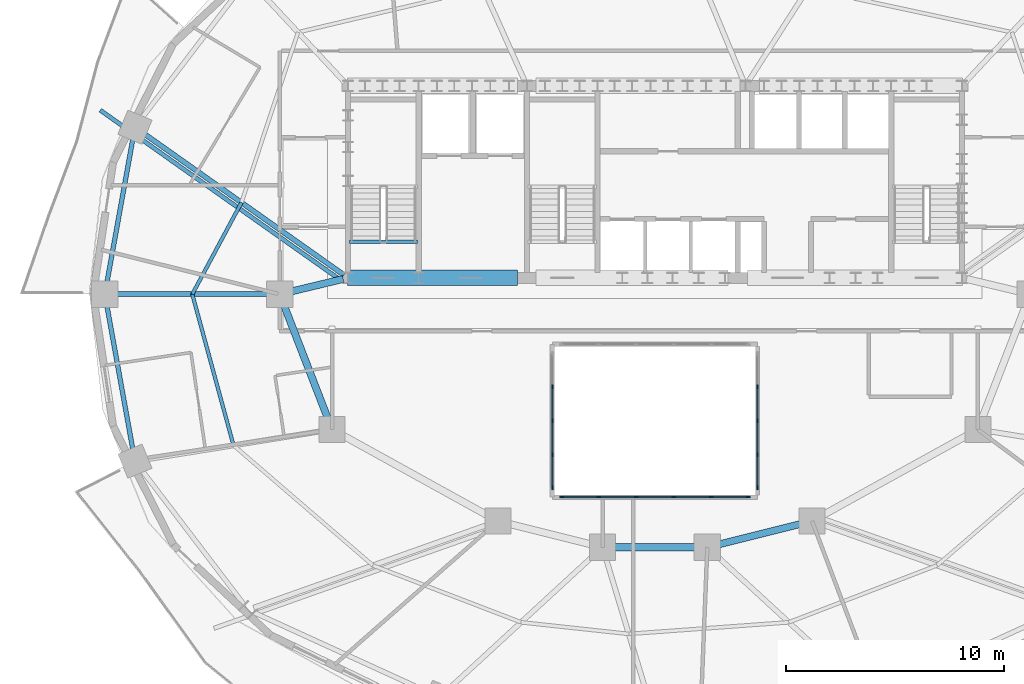
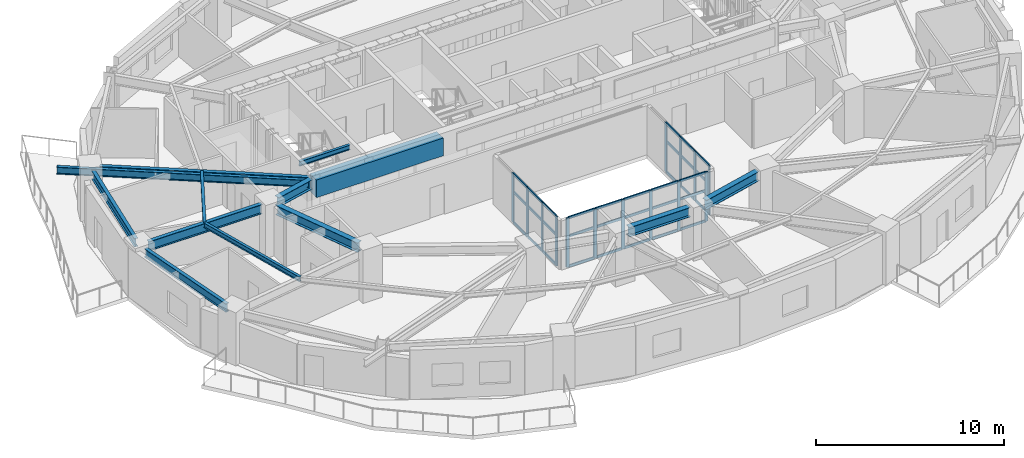
# One storey, part 2 of 12: 47 members, 13 beams, 3 elements without a shape of their own.
"""IFC4 building model written with IfcOpenShell, lengths in metres."""

from ifc_helpers import new_model, si_unit, direction, frame, origin, origin_2d, place, context, subcontext, project, spatial, rectangle, i_section, extrude, material, material_profile, profile_set, type_object, element, aggregate, save


model = new_model("IFC4")

# Units and contexts
model_context = context("Model", 3, precision=1e-05, world=origin(), true_north=direction((0.0, 1.0)))
body_context = subcontext(model_context, "Body", "Model", "MODEL_VIEW")
ifc_project = project(units=[si_unit("LENGTHUNIT", "METRE"), si_unit("AREAUNIT", "SQUARE_METRE"), si_unit("VOLUMEUNIT", "CUBIC_METRE"), si_unit("PLANEANGLEUNIT", "RADIAN"), si_unit("MASSUNIT", "GRAM", prefix="KILO")], contexts=[model_context])

# Site, building, storey
site_placement = place(None, origin())
site = spatial("IfcSite", under=ifc_project, at=site_placement, CompositionType="ELEMENT")
building_placement = place(site_placement, origin())
building = spatial("IfcBuilding", under=site, at=building_placement, Name="Haldorwick Loom Tower", CompositionType="ELEMENT")
storey_placement = place(building_placement, frame((0.0, 0.0, 161.35009765625)))
storey = spatial("IfcBuildingStorey", under=building, at=storey_placement, Name="L43", CompositionType="ELEMENT", Elevation=161.35009765625)

# Curtain wall, members
ifc_material_1 = material(Name="Thermally Broken Anodized Aluminium Curtain Wall Framing", Category="aluminium")
curtain_wall_type = type_object("IfcCurtainWallType", Name="ARC-CW-03", PredefinedType="NOTDEFINED", material=ifc_material_1)
curtain_wall_1_placement = place(storey_placement, origin())
curtain_wall_1 = element("IfcCurtainWall", 1, at=curtain_wall_1_placement, inside=storey, type_object=curtain_wall_type, Name="L43 Atrium Glazed Screen S", PredefinedType="NOTDEFINED")
ifc_material_profile_1 = material_profile(ifc_material_1, rectangle(XDim=0.06591796875, YDim=0.18505859375, at=origin_2d()), Name="ALU_MUL_66X185", Category="aluminium")
ifc_profile_set_1 = profile_set([ifc_material_profile_1], Name="Thermally Broken Anodized Aluminium Curtain Wall Framing")
member_type_1 = type_object("IfcMemberType", Name="ARC-CWM-03", PredefinedType="MULLION", material=ifc_profile_set_1)
member_1_placement = place(storey_placement, frame((40.26708984375, 16.699951171875, 0.0), z_axis=(0.0, 0.0, 1.0), x_axis=(0.0, -1.0, 0.0)))
member_1 = element("IfcMember", 2, at=member_1_placement, type_object=member_type_1, Name="CW-03 mullion 1", PredefinedType="MULLION", context=body_context, shape_type="SweptSolid", body=[
    extrude(rectangle(XDim=0.06591796875, YDim=0.18505859375, at=origin_2d()), origin(), (0.0, 0.0, 1.0), 3.2099609375),
])
member_2_placement = place(storey_placement, frame((38.580078125, 16.699951171875, 0.0), z_axis=(0.0, 0.0, 1.0), x_axis=(0.0, -1.0, 0.0)))
member_2 = element("IfcMember", 3, at=member_2_placement, type_object=member_type_1, Name="CW-03 mullion 2", PredefinedType="MULLION", context=body_context, shape_type="SweptSolid", body=[
    extrude(rectangle(XDim=0.06591796875, YDim=0.18505859375, at=origin_2d()), origin(), (0.0, 0.0, 1.0), 3.2099609375),
])
member_3_placement = place(storey_placement, frame((36.860107421875, 16.699951171875, 0.0), z_axis=(0.0, 0.0, 1.0), x_axis=(0.0, -1.0, 0.0)))
member_3 = element("IfcMember", 4, at=member_3_placement, type_object=member_type_1, Name="CW-03 mullion 3", PredefinedType="MULLION", context=body_context, shape_type="SweptSolid", body=[
    extrude(rectangle(XDim=0.06591796875, YDim=0.18505859375, at=origin_2d()), origin(), (0.0, 0.0, 1.0), 3.2099609375),
])
member_4_placement = place(storey_placement, frame((35.139892578125, 16.699951171875, 0.0), z_axis=(0.0, 0.0, 1.0), x_axis=(0.0, -1.0, 0.0)))
member_4 = element("IfcMember", 5, at=member_4_placement, type_object=member_type_1, Name="CW-03 mullion 4", PredefinedType="MULLION", context=body_context, shape_type="SweptSolid", body=[
    extrude(rectangle(XDim=0.06591796875, YDim=0.18505859375, at=origin_2d()), origin(), (0.0, 0.0, 1.0), 3.2099609375),
])
member_5_placement = place(storey_placement, frame((33.419921875, 16.699951171875, 0.0), z_axis=(0.0, 0.0, 1.0), x_axis=(0.0, -1.0, 0.0)))
member_5 = element("IfcMember", 6, at=member_5_placement, type_object=member_type_1, Name="CW-03 mullion 5", PredefinedType="MULLION", context=body_context, shape_type="SweptSolid", body=[
    extrude(rectangle(XDim=0.06591796875, YDim=0.18505859375, at=origin_2d()), origin(), (0.0, 0.0, 1.0), 3.2099609375),
])
member_6_placement = place(storey_placement, frame((31.73291015625, 16.699951171875, 0.0), z_axis=(0.0, 0.0, 1.0), x_axis=(0.0, -1.0, 0.0)))
member_6 = element("IfcMember", 7, at=member_6_placement, type_object=member_type_1, Name="CW-03 mullion 6", PredefinedType="MULLION", context=body_context, shape_type="SweptSolid", body=[
    extrude(rectangle(XDim=0.06591796875, YDim=0.18505859375, at=origin_2d()), origin(), (0.0, 0.0, 1.0), 3.2099609375),
])

curtain_wall_2_placement = place(storey_placement, origin())
curtain_wall_2 = element("IfcCurtainWall", 8, at=curtain_wall_2_placement, inside=storey, type_object=curtain_wall_type, Name="L43 Atrium Glazed Screen W", PredefinedType="NOTDEFINED")
member_7_placement = place(storey_placement, frame((31.300048828125, 17.133056640625, 0.0), z_axis=(0.0, 0.0, 1.0), x_axis=(-1.0, 0.0, 0.0)))
member_7 = element("IfcMember", 9, at=member_7_placement, type_object=member_type_1, Name="CW-03 mullion 1", PredefinedType="MULLION", context=body_context, shape_type="SweptSolid", body=[
    extrude(rectangle(XDim=0.06591796875, YDim=0.18505859375, at=origin_2d()), origin(), (0.0, 0.0, 1.0), 3.2099609375),
])
member_8_placement = place(storey_placement, frame((31.300048828125, 18.64990234375, 0.0), z_axis=(0.0, 0.0, 1.0), x_axis=(-1.0, 0.0, 0.0)))
member_8 = element("IfcMember", 10, at=member_8_placement, type_object=member_type_1, Name="CW-03 mullion 2", PredefinedType="MULLION", context=body_context, shape_type="SweptSolid", body=[
    extrude(rectangle(XDim=0.06591796875, YDim=0.18505859375, at=origin_2d()), origin(), (0.0, 0.0, 1.0), 3.2099609375),
])
member_9_placement = place(storey_placement, frame((31.300048828125, 20.199951171875, 0.0), z_axis=(0.0, 0.0, 1.0), x_axis=(-1.0, 0.0, 0.0)))
member_9 = element("IfcMember", 11, at=member_9_placement, type_object=member_type_1, Name="CW-03 mullion 3", PredefinedType="MULLION", context=body_context, shape_type="SweptSolid", body=[
    extrude(rectangle(XDim=0.06591796875, YDim=0.18505859375, at=origin_2d()), origin(), (0.0, 0.0, 1.0), 3.2099609375),
])
member_10_placement = place(storey_placement, frame((31.300048828125, 21.75, 0.0), z_axis=(0.0, 0.0, 1.0), x_axis=(-1.0, 0.0, 0.0)))
member_10 = element("IfcMember", 12, at=member_10_placement, type_object=member_type_1, Name="CW-03 mullion 4", PredefinedType="MULLION", context=body_context, shape_type="SweptSolid", body=[
    extrude(rectangle(XDim=0.06591796875, YDim=0.18505859375, at=origin_2d()), origin(), (0.0, 0.0, 1.0), 3.2099609375),
])

curtain_wall_3_placement = place(storey_placement, origin())
curtain_wall_3 = element("IfcCurtainWall", 13, at=curtain_wall_3_placement, inside=storey, type_object=curtain_wall_type, Name="L43 Atrium Glazed Screen E", PredefinedType="NOTDEFINED")
member_11_placement = place(storey_placement, frame((40.699951171875, 21.75, 0.0), z_axis=(0.0, 0.0, 1.0), x_axis=(1.0, 0.0, 0.0)))
member_11 = element("IfcMember", 14, at=member_11_placement, type_object=member_type_1, Name="CW-03 mullion 2", PredefinedType="MULLION", context=body_context, shape_type="SweptSolid", body=[
    extrude(rectangle(XDim=0.06591796875, YDim=0.18505859375, at=origin_2d()), origin(), (0.0, 0.0, 1.0), 3.2099609375),
])
member_12_placement = place(storey_placement, frame((40.699951171875, 20.199951171875, 0.0), z_axis=(0.0, 0.0, 1.0), x_axis=(1.0, 0.0, 0.0)))
member_12 = element("IfcMember", 15, at=member_12_placement, type_object=member_type_1, Name="CW-03 mullion 3", PredefinedType="MULLION", context=body_context, shape_type="SweptSolid", body=[
    extrude(rectangle(XDim=0.06591796875, YDim=0.18505859375, at=origin_2d()), origin(), (0.0, 0.0, 1.0), 3.2099609375),
])
member_13_placement = place(storey_placement, frame((40.699951171875, 18.64990234375, 0.0), z_axis=(0.0, 0.0, 1.0), x_axis=(1.0, 0.0, 0.0)))
member_13 = element("IfcMember", 16, at=member_13_placement, type_object=member_type_1, Name="CW-03 mullion 4", PredefinedType="MULLION", context=body_context, shape_type="SweptSolid", body=[
    extrude(rectangle(XDim=0.06591796875, YDim=0.18505859375, at=origin_2d()), origin(), (0.0, 0.0, 1.0), 3.2099609375),
])
member_14_placement = place(storey_placement, frame((40.699951171875, 17.133056640625, 0.0), z_axis=(0.0, 0.0, 1.0), x_axis=(1.0, 0.0, 0.0)))
member_14 = element("IfcMember", 17, at=member_14_placement, type_object=member_type_1, Name="CW-03 mullion 5", PredefinedType="MULLION", context=body_context, shape_type="SweptSolid", body=[
    extrude(rectangle(XDim=0.06591796875, YDim=0.18505859375, at=origin_2d()), origin(), (0.0, 0.0, 1.0), 3.2099609375),
])

# Member
ifc_material_profile_2 = material_profile(ifc_material_1, rectangle(XDim=0.06591796875, YDim=0.1650390625, at=origin_2d()), Name="ALU_TRN_66X165", Category="aluminium")
ifc_profile_set_2 = profile_set([ifc_material_profile_2], Name="Thermally Broken Anodized Aluminium Curtain Wall Framing")
member_type_2 = type_object("IfcMemberType", Name="ARC-CWT-03", PredefinedType="USERDEFINED", material=ifc_profile_set_2)
member_15_placement = place(storey_placement, frame((40.23388671875, 16.699951171875, 0.032958984375), z_axis=(-1.0, 0.0, 0.0), x_axis=(0.0, -1.0, 0.0)))
member_15 = element("IfcMember", 18, at=member_15_placement, type_object=member_type_2, Name="CW-03 transom 1.1", ObjectType="TRANSOM", PredefinedType="USERDEFINED", context=body_context, shape_type="SweptSolid", body=[
    extrude(rectangle(XDim=0.06591796875, YDim=0.1650390625, at=origin_2d()), origin(), (0.0, 0.0, 1.0), 1.620849609375),
])

member_16_placement = place(storey_placement, frame((40.23388671875, 16.699951171875, 2.0), z_axis=(-1.0, 0.0, 0.0), x_axis=(0.0, -1.0, 0.0)))
member_16 = element("IfcMember", 19, at=member_16_placement, type_object=member_type_2, Name="CW-03 transom 1.2", ObjectType="TRANSOM", PredefinedType="USERDEFINED", context=body_context, shape_type="SweptSolid", body=[
    extrude(rectangle(XDim=0.06591796875, YDim=0.1650390625, at=origin_2d()), origin(), (0.0, 0.0, 1.0), 1.620849609375),
])

member_17_placement = place(storey_placement, frame((40.23388671875, 16.699951171875, 3.177001953125), z_axis=(-1.0, 0.0, 0.0), x_axis=(0.0, -1.0, 0.0)))
member_17 = element("IfcMember", 20, at=member_17_placement, type_object=member_type_2, Name="CW-03 transom 1.3", ObjectType="TRANSOM", PredefinedType="USERDEFINED", context=body_context, shape_type="SweptSolid", body=[
    extrude(rectangle(XDim=0.06591796875, YDim=0.1650390625, at=origin_2d()), origin(), (0.0, 0.0, 1.0), 1.620849609375),
])

member_18_placement = place(storey_placement, frame((38.547119140625, 16.699951171875, 0.032958984375), z_axis=(-1.0, 0.0, 0.0), x_axis=(0.0, -1.0, 0.0)))
member_18 = element("IfcMember", 21, at=member_18_placement, type_object=member_type_2, Name="CW-03 transom 2.1", ObjectType="TRANSOM", PredefinedType="USERDEFINED", context=body_context, shape_type="SweptSolid", body=[
    extrude(rectangle(XDim=0.06591796875, YDim=0.1650390625, at=origin_2d()), origin(), (0.0, 0.0, 1.0), 1.654052734375),
])

member_19_placement = place(storey_placement, frame((38.547119140625, 16.699951171875, 2.0), z_axis=(-1.0, 0.0, 0.0), x_axis=(0.0, -1.0, 0.0)))
member_19 = element("IfcMember", 22, at=member_19_placement, type_object=member_type_2, Name="CW-03 transom 2.2", ObjectType="TRANSOM", PredefinedType="USERDEFINED", context=body_context, shape_type="SweptSolid", body=[
    extrude(rectangle(XDim=0.06591796875, YDim=0.1650390625, at=origin_2d()), origin(), (0.0, 0.0, 1.0), 1.654052734375),
])

member_20_placement = place(storey_placement, frame((38.547119140625, 16.699951171875, 3.177001953125), z_axis=(-1.0, 0.0, 0.0), x_axis=(0.0, -1.0, 0.0)))
member_20 = element("IfcMember", 23, at=member_20_placement, type_object=member_type_2, Name="CW-03 transom 2.3", ObjectType="TRANSOM", PredefinedType="USERDEFINED", context=body_context, shape_type="SweptSolid", body=[
    extrude(rectangle(XDim=0.06591796875, YDim=0.1650390625, at=origin_2d()), origin(), (0.0, 0.0, 1.0), 1.654052734375),
])

member_21_placement = place(storey_placement, frame((36.826904296875, 16.699951171875, 0.032958984375), z_axis=(-1.0, 0.0, 0.0), x_axis=(0.0, -1.0, 0.0)))
member_21 = element("IfcMember", 24, at=member_21_placement, type_object=member_type_2, Name="CW-03 transom 3.1", ObjectType="TRANSOM", PredefinedType="USERDEFINED", context=body_context, shape_type="SweptSolid", body=[
    extrude(rectangle(XDim=0.06591796875, YDim=0.1650390625, at=origin_2d()), origin(), (0.0, 0.0, 1.0), 1.65380859375),
])

member_22_placement = place(storey_placement, frame((36.826904296875, 16.699951171875, 2.0), z_axis=(-1.0, 0.0, 0.0), x_axis=(0.0, -1.0, 0.0)))
member_22 = element("IfcMember", 25, at=member_22_placement, type_object=member_type_2, Name="CW-03 transom 3.2", ObjectType="TRANSOM", PredefinedType="USERDEFINED", context=body_context, shape_type="SweptSolid", body=[
    extrude(rectangle(XDim=0.06591796875, YDim=0.1650390625, at=origin_2d()), origin(), (0.0, 0.0, 1.0), 1.65380859375),
])

member_23_placement = place(storey_placement, frame((36.826904296875, 16.699951171875, 3.177001953125), z_axis=(-1.0, 0.0, 0.0), x_axis=(0.0, -1.0, 0.0)))
member_23 = element("IfcMember", 26, at=member_23_placement, type_object=member_type_2, Name="CW-03 transom 3.3", ObjectType="TRANSOM", PredefinedType="USERDEFINED", context=body_context, shape_type="SweptSolid", body=[
    extrude(rectangle(XDim=0.06591796875, YDim=0.1650390625, at=origin_2d()), origin(), (0.0, 0.0, 1.0), 1.65380859375),
])

member_24_placement = place(storey_placement, frame((35.10693359375, 16.699951171875, 0.032958984375), z_axis=(-1.0, 0.0, 0.0), x_axis=(0.0, -1.0, 0.0)))
member_24 = element("IfcMember", 27, at=member_24_placement, type_object=member_type_2, Name="CW-03 transom 4.1", ObjectType="TRANSOM", PredefinedType="USERDEFINED", context=body_context, shape_type="SweptSolid", body=[
    extrude(rectangle(XDim=0.06591796875, YDim=0.1650390625, at=origin_2d()), origin(), (0.0, 0.0, 1.0), 1.654052734375),
])

member_25_placement = place(storey_placement, frame((35.10693359375, 16.699951171875, 2.0), z_axis=(-1.0, 0.0, 0.0), x_axis=(0.0, -1.0, 0.0)))
member_25 = element("IfcMember", 28, at=member_25_placement, type_object=member_type_2, Name="CW-03 transom 4.2", ObjectType="TRANSOM", PredefinedType="USERDEFINED", context=body_context, shape_type="SweptSolid", body=[
    extrude(rectangle(XDim=0.06591796875, YDim=0.1650390625, at=origin_2d()), origin(), (0.0, 0.0, 1.0), 1.654052734375),
])

member_26_placement = place(storey_placement, frame((35.10693359375, 16.699951171875, 3.177001953125), z_axis=(-1.0, 0.0, 0.0), x_axis=(0.0, -1.0, 0.0)))
member_26 = element("IfcMember", 29, at=member_26_placement, type_object=member_type_2, Name="CW-03 transom 4.3", ObjectType="TRANSOM", PredefinedType="USERDEFINED", context=body_context, shape_type="SweptSolid", body=[
    extrude(rectangle(XDim=0.06591796875, YDim=0.1650390625, at=origin_2d()), origin(), (0.0, 0.0, 1.0), 1.654052734375),
])

member_27_placement = place(storey_placement, frame((33.386962890625, 16.699951171875, 0.032958984375), z_axis=(-1.0, 0.0, 0.0), x_axis=(0.0, -1.0, 0.0)))
member_27 = element("IfcMember", 30, at=member_27_placement, type_object=member_type_2, Name="CW-03 transom 5.1", ObjectType="TRANSOM", PredefinedType="USERDEFINED", context=body_context, shape_type="SweptSolid", body=[
    extrude(rectangle(XDim=0.06591796875, YDim=0.1650390625, at=origin_2d()), origin(), (0.0, 0.0, 1.0), 1.620849609375),
])

member_28_placement = place(storey_placement, frame((33.386962890625, 16.699951171875, 2.0), z_axis=(-1.0, 0.0, 0.0), x_axis=(0.0, -1.0, 0.0)))
member_28 = element("IfcMember", 31, at=member_28_placement, type_object=member_type_2, Name="CW-03 transom 5.2", ObjectType="TRANSOM", PredefinedType="USERDEFINED", context=body_context, shape_type="SweptSolid", body=[
    extrude(rectangle(XDim=0.06591796875, YDim=0.1650390625, at=origin_2d()), origin(), (0.0, 0.0, 1.0), 1.620849609375),
])

member_29_placement = place(storey_placement, frame((33.386962890625, 16.699951171875, 3.177001953125), z_axis=(-1.0, 0.0, 0.0), x_axis=(0.0, -1.0, 0.0)))
member_29 = element("IfcMember", 32, at=member_29_placement, type_object=member_type_2, Name="CW-03 transom 5.3", ObjectType="TRANSOM", PredefinedType="USERDEFINED", context=body_context, shape_type="SweptSolid", body=[
    extrude(rectangle(XDim=0.06591796875, YDim=0.1650390625, at=origin_2d()), origin(), (0.0, 0.0, 1.0), 1.620849609375),
])

aggregate(curtain_wall_1, [member_1, member_2, member_3, member_4, member_5, member_6, member_15, member_16, member_17, member_18, member_19, member_20, member_21, member_22, member_23, member_24, member_25, member_26, member_27, member_28, member_29])

member_30_placement = place(storey_placement, frame((31.300048828125, 17.166015625, 0.032958984375), z_axis=(0.0, 1.0, 0.0), x_axis=(-1.0, 0.0, 0.0)))
member_30 = element("IfcMember", 33, at=member_30_placement, type_object=member_type_2, Name="CW-03 transom 1.1", ObjectType="TRANSOM", PredefinedType="USERDEFINED", context=body_context, shape_type="SweptSolid", body=[
    extrude(rectangle(XDim=0.06591796875, YDim=0.1650390625, at=origin_2d()), origin(), (0.0, 0.0, 1.0), 1.450927734375),
])

member_31_placement = place(storey_placement, frame((31.300048828125, 17.166015625, 2.0), z_axis=(0.0, 1.0, 0.0), x_axis=(-1.0, 0.0, 0.0)))
member_31 = element("IfcMember", 34, at=member_31_placement, type_object=member_type_2, Name="CW-03 transom 1.2", ObjectType="TRANSOM", PredefinedType="USERDEFINED", context=body_context, shape_type="SweptSolid", body=[
    extrude(rectangle(XDim=0.06591796875, YDim=0.1650390625, at=origin_2d()), origin(), (0.0, 0.0, 1.0), 1.450927734375),
])

member_32_placement = place(storey_placement, frame((31.300048828125, 17.166015625, 3.177001953125), z_axis=(0.0, 1.0, 0.0), x_axis=(-1.0, 0.0, 0.0)))
member_32 = element("IfcMember", 35, at=member_32_placement, type_object=member_type_2, Name="CW-03 transom 1.3", ObjectType="TRANSOM", PredefinedType="USERDEFINED", context=body_context, shape_type="SweptSolid", body=[
    extrude(rectangle(XDim=0.06591796875, YDim=0.1650390625, at=origin_2d()), origin(), (0.0, 0.0, 1.0), 1.450927734375),
])

member_33_placement = place(storey_placement, frame((31.300048828125, 18.68310546875, 0.032958984375), z_axis=(0.0, 1.0, 0.0), x_axis=(-1.0, 0.0, 0.0)))
member_33 = element("IfcMember", 36, at=member_33_placement, type_object=member_type_2, Name="CW-03 transom 2.1", ObjectType="TRANSOM", PredefinedType="USERDEFINED", context=body_context, shape_type="SweptSolid", body=[
    extrude(rectangle(XDim=0.06591796875, YDim=0.1650390625, at=origin_2d()), origin(), (0.0, 0.0, 1.0), 1.48388671875),
])

member_34_placement = place(storey_placement, frame((31.300048828125, 18.68310546875, 2.0), z_axis=(0.0, 1.0, 0.0), x_axis=(-1.0, 0.0, 0.0)))
member_34 = element("IfcMember", 37, at=member_34_placement, type_object=member_type_2, Name="CW-03 transom 2.2", ObjectType="TRANSOM", PredefinedType="USERDEFINED", context=body_context, shape_type="SweptSolid", body=[
    extrude(rectangle(XDim=0.06591796875, YDim=0.1650390625, at=origin_2d()), origin(), (0.0, 0.0, 1.0), 1.48388671875),
])

member_35_placement = place(storey_placement, frame((31.300048828125, 18.68310546875, 3.177001953125), z_axis=(0.0, 1.0, 0.0), x_axis=(-1.0, 0.0, 0.0)))
member_35 = element("IfcMember", 38, at=member_35_placement, type_object=member_type_2, Name="CW-03 transom 2.3", ObjectType="TRANSOM", PredefinedType="USERDEFINED", context=body_context, shape_type="SweptSolid", body=[
    extrude(rectangle(XDim=0.06591796875, YDim=0.1650390625, at=origin_2d()), origin(), (0.0, 0.0, 1.0), 1.48388671875),
])

member_36_placement = place(storey_placement, frame((31.300048828125, 20.23291015625, 0.032958984375), z_axis=(0.0, 1.0, 0.0), x_axis=(-1.0, 0.0, 0.0)))
member_36 = element("IfcMember", 39, at=member_36_placement, type_object=member_type_2, Name="CW-03 transom 3.1", ObjectType="TRANSOM", PredefinedType="USERDEFINED", context=body_context, shape_type="SweptSolid", body=[
    extrude(rectangle(XDim=0.06591796875, YDim=0.1650390625, at=origin_2d()), origin(), (0.0, 0.0, 1.0), 1.484130859375),
])

member_37_placement = place(storey_placement, frame((31.300048828125, 20.23291015625, 2.0), z_axis=(0.0, 1.0, 0.0), x_axis=(-1.0, 0.0, 0.0)))
member_37 = element("IfcMember", 40, at=member_37_placement, type_object=member_type_2, Name="CW-03 transom 3.2", ObjectType="TRANSOM", PredefinedType="USERDEFINED", context=body_context, shape_type="SweptSolid", body=[
    extrude(rectangle(XDim=0.06591796875, YDim=0.1650390625, at=origin_2d()), origin(), (0.0, 0.0, 1.0), 1.484130859375),
])

member_38_placement = place(storey_placement, frame((31.300048828125, 20.23291015625, 3.177001953125), z_axis=(0.0, 1.0, 0.0), x_axis=(-1.0, 0.0, 0.0)))
member_38 = element("IfcMember", 41, at=member_38_placement, type_object=member_type_2, Name="CW-03 transom 3.3", ObjectType="TRANSOM", PredefinedType="USERDEFINED", context=body_context, shape_type="SweptSolid", body=[
    extrude(rectangle(XDim=0.06591796875, YDim=0.1650390625, at=origin_2d()), origin(), (0.0, 0.0, 1.0), 1.484130859375),
])

aggregate(curtain_wall_2, [member_7, member_8, member_9, member_10, member_30, member_31, member_32, member_33, member_34, member_35, member_36, member_37, member_38])

member_39_placement = place(storey_placement, frame((40.699951171875, 21.717041015625, 0.032958984375), z_axis=(0.0, -1.0, 0.0), x_axis=(1.0, 0.0, 0.0)))
member_39 = element("IfcMember", 42, at=member_39_placement, type_object=member_type_2, Name="CW-03 transom 2.1", ObjectType="TRANSOM", PredefinedType="USERDEFINED", context=body_context, shape_type="SweptSolid", body=[
    extrude(rectangle(XDim=0.06591796875, YDim=0.1650390625, at=origin_2d()), origin(), (0.0, 0.0, 1.0), 1.484130859375),
])

member_40_placement = place(storey_placement, frame((40.699951171875, 21.717041015625, 2.0), z_axis=(0.0, -1.0, 0.0), x_axis=(1.0, 0.0, 0.0)))
member_40 = element("IfcMember", 43, at=member_40_placement, type_object=member_type_2, Name="CW-03 transom 2.2", ObjectType="TRANSOM", PredefinedType="USERDEFINED", context=body_context, shape_type="SweptSolid", body=[
    extrude(rectangle(XDim=0.06591796875, YDim=0.1650390625, at=origin_2d()), origin(), (0.0, 0.0, 1.0), 1.484130859375),
])

member_41_placement = place(storey_placement, frame((40.699951171875, 21.717041015625, 3.177001953125), z_axis=(0.0, -1.0, 0.0), x_axis=(1.0, 0.0, 0.0)))
member_41 = element("IfcMember", 44, at=member_41_placement, type_object=member_type_2, Name="CW-03 transom 2.3", ObjectType="TRANSOM", PredefinedType="USERDEFINED", context=body_context, shape_type="SweptSolid", body=[
    extrude(rectangle(XDim=0.06591796875, YDim=0.1650390625, at=origin_2d()), origin(), (0.0, 0.0, 1.0), 1.484130859375),
])

member_42_placement = place(storey_placement, frame((40.699951171875, 20.1669921875, 0.032958984375), z_axis=(0.0, -1.0, 0.0), x_axis=(1.0, 0.0, 0.0)))
member_42 = element("IfcMember", 45, at=member_42_placement, type_object=member_type_2, Name="CW-03 transom 3.1", ObjectType="TRANSOM", PredefinedType="USERDEFINED", context=body_context, shape_type="SweptSolid", body=[
    extrude(rectangle(XDim=0.06591796875, YDim=0.1650390625, at=origin_2d()), origin(), (0.0, 0.0, 1.0), 1.48388671875),
])

member_43_placement = place(storey_placement, frame((40.699951171875, 20.1669921875, 2.0), z_axis=(0.0, -1.0, 0.0), x_axis=(1.0, 0.0, 0.0)))
member_43 = element("IfcMember", 46, at=member_43_placement, type_object=member_type_2, Name="CW-03 transom 3.2", ObjectType="TRANSOM", PredefinedType="USERDEFINED", context=body_context, shape_type="SweptSolid", body=[
    extrude(rectangle(XDim=0.06591796875, YDim=0.1650390625, at=origin_2d()), origin(), (0.0, 0.0, 1.0), 1.48388671875),
])

member_44_placement = place(storey_placement, frame((40.699951171875, 20.1669921875, 3.177001953125), z_axis=(0.0, -1.0, 0.0), x_axis=(1.0, 0.0, 0.0)))
member_44 = element("IfcMember", 47, at=member_44_placement, type_object=member_type_2, Name="CW-03 transom 3.3", ObjectType="TRANSOM", PredefinedType="USERDEFINED", context=body_context, shape_type="SweptSolid", body=[
    extrude(rectangle(XDim=0.06591796875, YDim=0.1650390625, at=origin_2d()), origin(), (0.0, 0.0, 1.0), 1.48388671875),
])

member_45_placement = place(storey_placement, frame((40.699951171875, 18.616943359375, 0.032958984375), z_axis=(0.0, -1.0, 0.0), x_axis=(1.0, 0.0, 0.0)))
member_45 = element("IfcMember", 48, at=member_45_placement, type_object=member_type_2, Name="CW-03 transom 4.1", ObjectType="TRANSOM", PredefinedType="USERDEFINED", context=body_context, shape_type="SweptSolid", body=[
    extrude(rectangle(XDim=0.06591796875, YDim=0.1650390625, at=origin_2d()), origin(), (0.0, 0.0, 1.0), 1.450927734375),
])

member_46_placement = place(storey_placement, frame((40.699951171875, 18.616943359375, 2.0), z_axis=(0.0, -1.0, 0.0), x_axis=(1.0, 0.0, 0.0)))
member_46 = element("IfcMember", 49, at=member_46_placement, type_object=member_type_2, Name="CW-03 transom 4.2", ObjectType="TRANSOM", PredefinedType="USERDEFINED", context=body_context, shape_type="SweptSolid", body=[
    extrude(rectangle(XDim=0.06591796875, YDim=0.1650390625, at=origin_2d()), origin(), (0.0, 0.0, 1.0), 1.450927734375),
])

member_47_placement = place(storey_placement, frame((40.699951171875, 18.616943359375, 3.177001953125), z_axis=(0.0, -1.0, 0.0), x_axis=(1.0, 0.0, 0.0)))
member_47 = element("IfcMember", 50, at=member_47_placement, type_object=member_type_2, Name="CW-03 transom 4.3", ObjectType="TRANSOM", PredefinedType="USERDEFINED", context=body_context, shape_type="SweptSolid", body=[
    extrude(rectangle(XDim=0.06591796875, YDim=0.1650390625, at=origin_2d()), origin(), (0.0, 0.0, 1.0), 1.450927734375),
])

aggregate(curtain_wall_3, [member_11, member_12, member_13, member_14, member_39, member_40, member_41, member_42, member_43, member_44, member_45, member_46, member_47])

# Beams
ifc_material_2 = material(Name="Steel CSA G40.21 350W", Category="steel")
ifc_material_profile_3 = material_profile(ifc_material_2, i_section(OverallWidth=0.193115234375, OverallDepth=0.466064453125, WebThickness=0.011474609375, FlangeThickness=0.01904296875, at=origin_2d()), Name="W460X97", Category="steel")
ifc_profile_set_3 = profile_set([ifc_material_profile_3], Name="Steel CSA G40.21 350W")
beam_type_1 = type_object("IfcBeamType", Name="STR-BM-BAL460", PredefinedType="BEAM", material=ifc_profile_set_3)
beam_1_placement = place(storey_placement, frame((21.584716796875, 26.651123046875, 2.976806640625), z_axis=(-0.816570288691, 0.577246016554, 0.0), x_axis=(-0.577246016554, -0.816570288691, 0.0)))
element("IfcBeam", 51, at=beam_1_placement, inside=storey, type_object=beam_type_1, Name="L43 Continuous Back-Spanned Balcony Beam 3", PredefinedType="BEAM", context=body_context, shape_type="SweptSolid", body=[
    extrude(i_section(OverallWidth=0.193115234375, OverallDepth=0.466064453125, WebThickness=0.011474609375, FlangeThickness=0.01904296875, at=origin_2d()), origin(), (0.0, 0.0, 1.0), 13.485107421875),
])
ifc_material_3 = material(Name="Concrete C60 (60 MPa)", Category="concrete")
ifc_material_profile_4 = material_profile(ifc_material_3, rectangle(XDim=0.699951171875, YDim=1.14990234375, at=origin_2d()), Name="RC700X1150", Category="concrete")
ifc_profile_set_4 = profile_set([ifc_material_profile_4], Name="Concrete C60 (60 MPa)")
beam_type_2 = type_object("IfcBeamType", Name="STR-BM-CB1150", PredefinedType="LINTEL", material=ifc_profile_set_4)
beam_2_placement = place(storey_placement, frame((21.89990234375, 26.75, 2.635009765625), z_axis=(1.0, 0.0, 0.0), x_axis=(0.0, 1.0, 0.0)))
element("IfcBeam", 52, at=beam_2_placement, inside=storey, type_object=beam_type_2, Name="L43 Core Coupling Beam CB-S1", PredefinedType="LINTEL", context=body_context, shape_type="SweptSolid", body=[
    extrude(rectangle(XDim=0.699951171875, YDim=1.14990234375, at=origin_2d()), origin(), (0.0, 0.0, 1.0), 7.800048828125),
])
ifc_material_profile_5 = material_profile(ifc_material_2, i_section(OverallWidth=0.166015625, OverallDepth=0.31298828125, WebThickness=0.006591796875, FlangeThickness=0.01123046875, at=origin_2d()), Name="W310X45", Category="steel")
ifc_profile_set_5 = profile_set([ifc_material_profile_5], Name="Steel CSA G40.21 350W")
beam_type_3 = type_object("IfcBeamType", Name="STR-BM-J310", PredefinedType="JOIST", material=ifc_profile_set_5)
beam_3_placement = place(storey_placement, frame((17.046875, 30.201904296875, 3.053466796875), z_axis=(-0.472930162238, -0.881099915813, 0.0), x_axis=(0.881099915813, -0.472930162238, 0.0)))
element("IfcBeam", 53, at=beam_3_placement, inside=storey, type_object=beam_type_3, Name="L43 Mid-Bay Secondary Joist 8", PredefinedType="JOIST", context=body_context, shape_type="SweptSolid", body=[
    extrude(i_section(OverallWidth=0.166015625, OverallDepth=0.31298828125, WebThickness=0.006591796875, FlangeThickness=0.01123046875, at=origin_2d()), origin(), (0.0, 0.0, 1.0), 4.76904296875),
])
beam_4_placement = place(storey_placement, frame((14.79150390625, 26.0, 3.053466796875), z_axis=(0.263272762578, -0.964721437766, 0.0), x_axis=(0.964721437766, 0.263272762578, 0.0)))
element("IfcBeam", 54, at=beam_4_placement, inside=storey, type_object=beam_type_3, Name="L43 Mid-Bay Secondary Joist 9", PredefinedType="JOIST", context=body_context, shape_type="SweptSolid", body=[
    extrude(i_section(OverallWidth=0.166015625, OverallDepth=0.31298828125, WebThickness=0.006591796875, FlangeThickness=0.01123046875, at=origin_2d()), origin(), (0.0, 0.0, 1.0), 7.180419921875),
])
ifc_material_profile_6 = material_profile(ifc_material_2, i_section(OverallWidth=0.2119140625, OverallDepth=0.5439453125, WebThickness=0.01318359375, FlangeThickness=0.021240234375, at=origin_2d()), Name="W530X123", Category="steel")
ifc_profile_set_6 = profile_set([ifc_material_profile_6], Name="Steel CSA G40.21 350W")
beam_type_4 = type_object("IfcBeamType", Name="STR-BM-SP530", PredefinedType="SPANDREL", material=ifc_profile_set_6)
for number, where, z_axis, x_axis, name in (
    (55, (12.071533203125, 33.14208984375, 2.93798828125), (-0.177558730702, -0.984110205796, 0.0), (0.984110205796, -0.177558730702, 0.0), "L43 Perimeter Spandrel 8"),
    (56, (10.875244140625, 25.48828125, 2.93798828125), (0.177558730702, -0.984110205796, 0.0), (0.984110205796, 0.177558730702, 0.0), "L43 Perimeter Spandrel 9"),
):
    element("IfcBeam", number, at=place(storey_placement, frame(where, z_axis=z_axis, x_axis=x_axis)), inside=storey, type_object=beam_type_4, Name=name, PredefinedType="SPANDREL", context=body_context, shape_type="SweptSolid", body=[
        extrude(i_section(OverallWidth=0.2119140625, OverallDepth=0.5439453125, WebThickness=0.01318359375, FlangeThickness=0.021240234375, at=origin_2d()), origin(), (0.0, 0.0, 1.0), 6.737548828125),
    ])
ifc_material_profile_7 = material_profile(ifc_material_2, i_section(OverallWidth=0.166015625, OverallDepth=0.31298828125, WebThickness=0.006591796875, FlangeThickness=0.01123046875, at=origin_2d()), Name="W310X45", Category="steel")
ifc_profile_set_7 = profile_set([ifc_material_profile_7], Name="Steel CSA G40.21 350W")
beam_type_5 = type_object("IfcBeamType", Name="STR-BM-STRM", PredefinedType="BEAM", material=ifc_profile_set_7)
beam_5_placement = place(storey_placement, frame((21.989990234375, 28.39990234375, 3.053466796875), z_axis=(1.0, 0.0, 0.0), x_axis=(0.0, 1.0, 0.0)))
element("IfcBeam", 57, at=beam_5_placement, inside=storey, type_object=beam_type_5, Name="L43 Stair ST-01 Landing Edge Trimmer", PredefinedType="BEAM", context=body_context, shape_type="SweptSolid", body=[
    extrude(i_section(OverallWidth=0.166015625, OverallDepth=0.31298828125, WebThickness=0.006591796875, FlangeThickness=0.01123046875, at=origin_2d()), origin(), (0.0, 0.0, 1.0), 3.1201171875),
])
ifc_material_profile_8 = material_profile(ifc_material_2, i_section(OverallWidth=0.324951171875, OverallDepth=0.615966796875, WebThickness=0.013916015625, FlangeThickness=0.021484375, at=origin_2d()), Name="W610X174", Category="steel")
ifc_profile_set_8 = profile_set([ifc_material_profile_8], Name="Steel CSA G40.21 350W")
beam_type_6 = type_object("IfcBeamType", Name="STR-BM-W610A", PredefinedType="BEAM", material=ifc_profile_set_8)
beam_6_placement = place(storey_placement, frame((42.695556640625, 15.473876953125, 2.90185546875), z_axis=(-0.970142500145, -0.242535625036, 0.0), x_axis=(0.242535625036, -0.970142500145, 0.0)))
element("IfcBeam", 58, at=beam_6_placement, inside=storey, type_object=beam_type_6, Name="L43 Inner Ring Girder 4", PredefinedType="BEAM", context=body_context, shape_type="SweptSolid", body=[
    extrude(i_section(OverallWidth=0.324951171875, OverallDepth=0.615966796875, WebThickness=0.013916015625, FlangeThickness=0.021484375, at=origin_2d()), origin(), (0.0, 0.0, 1.0), 3.90771484375),
])
beam_7_placement = place(storey_placement, frame((37.8798828125, 14.39990234375, 2.90185546875), z_axis=(-1.0, 0.0, 0.0), x_axis=(0.0, -1.0, 0.0)))
element("IfcBeam", 59, at=beam_7_placement, inside=storey, type_object=beam_type_6, Name="L43 Inner Ring Girder 5", PredefinedType="BEAM", context=body_context, shape_type="SweptSolid", body=[
    extrude(i_section(OverallWidth=0.324951171875, OverallDepth=0.615966796875, WebThickness=0.013916015625, FlangeThickness=0.021484375, at=origin_2d()), origin(), (0.0, 0.0, 1.0), 3.759765625),
])
beam_8_placement = place(storey_placement, frame((21.01220703125, 20.284912109375, 2.90185546875), z_axis=(-0.360964792353, 0.93257944363, 0.0), x_axis=(-0.93257944363, -0.360964792353, 0.0)))
element("IfcBeam", 60, at=beam_8_placement, inside=storey, type_object=beam_type_6, Name="L43 Inner Ring Girder 8", PredefinedType="BEAM", context=body_context, shape_type="SweptSolid", body=[
    extrude(i_section(OverallWidth=0.324951171875, OverallDepth=0.615966796875, WebThickness=0.013916015625, FlangeThickness=0.021484375, at=origin_2d()), origin(), (0.0, 0.0, 1.0), 5.6083984375),
])
beam_9_placement = place(storey_placement, frame((19.3056640625, 26.12109375, 2.90185546875), z_axis=(0.97247055837, 0.233025777764, 0.0), x_axis=(-0.233025777764, 0.97247055837, 0.0)))
element("IfcBeam", 61, at=beam_9_placement, inside=storey, type_object=beam_type_6, Name="L43 Inner Ring Girder 9", PredefinedType="BEAM", context=body_context, shape_type="SweptSolid", body=[
    extrude(i_section(OverallWidth=0.324951171875, OverallDepth=0.615966796875, WebThickness=0.013916015625, FlangeThickness=0.021484375, at=origin_2d()), origin(), (0.0, 0.0, 1.0), 2.4736328125),
])
ifc_material_profile_9 = material_profile(ifc_material_2, i_section(OverallWidth=0.22998046875, OverallDepth=0.616943359375, WebThickness=0.01318359375, FlangeThickness=0.022216796875, at=origin_2d()), Name="W610X140", Category="steel")
ifc_profile_set_9 = profile_set([ifc_material_profile_9], Name="Steel CSA G40.21 350W")
beam_type_7 = type_object("IfcBeamType", Name="STR-BM-W610B", PredefinedType="BEAM", material=ifc_profile_set_9)
beam_10_placement = place(storey_placement, frame((21.746337890625, 26.8798828125, 2.9013671875), z_axis=(-0.816581567299, 0.577230061542, 0.0), x_axis=(-0.577230061542, -0.816581567299, 0.0)))
element("IfcBeam", 62, at=beam_10_placement, inside=storey, type_object=beam_type_7, Name="L43 Radial Floor Girder 8", PredefinedType="BEAM", context=body_context, shape_type="SweptSolid", body=[
    extrude(i_section(OverallWidth=0.22998046875, OverallDepth=0.616943359375, WebThickness=0.01318359375, FlangeThickness=0.022216796875, at=origin_2d()), origin(), (0.0, 0.0, 1.0), 11.215087890625),
])
beam_11_placement = place(storey_placement, frame((18.280029296875, 26.0, 2.9013671875), z_axis=(-1.0, 0.0, 0.0), x_axis=(0.0, -1.0, 0.0)))
element("IfcBeam", 63, at=beam_11_placement, inside=storey, type_object=beam_type_7, Name="L43 Radial Floor Girder 9", PredefinedType="BEAM", context=body_context, shape_type="SweptSolid", body=[
    extrude(i_section(OverallWidth=0.22998046875, OverallDepth=0.616943359375, WebThickness=0.01318359375, FlangeThickness=0.022216796875, at=origin_2d()), origin(), (0.0, 0.0, 1.0), 6.97705078125),
])

save(model, "model.ifc")
